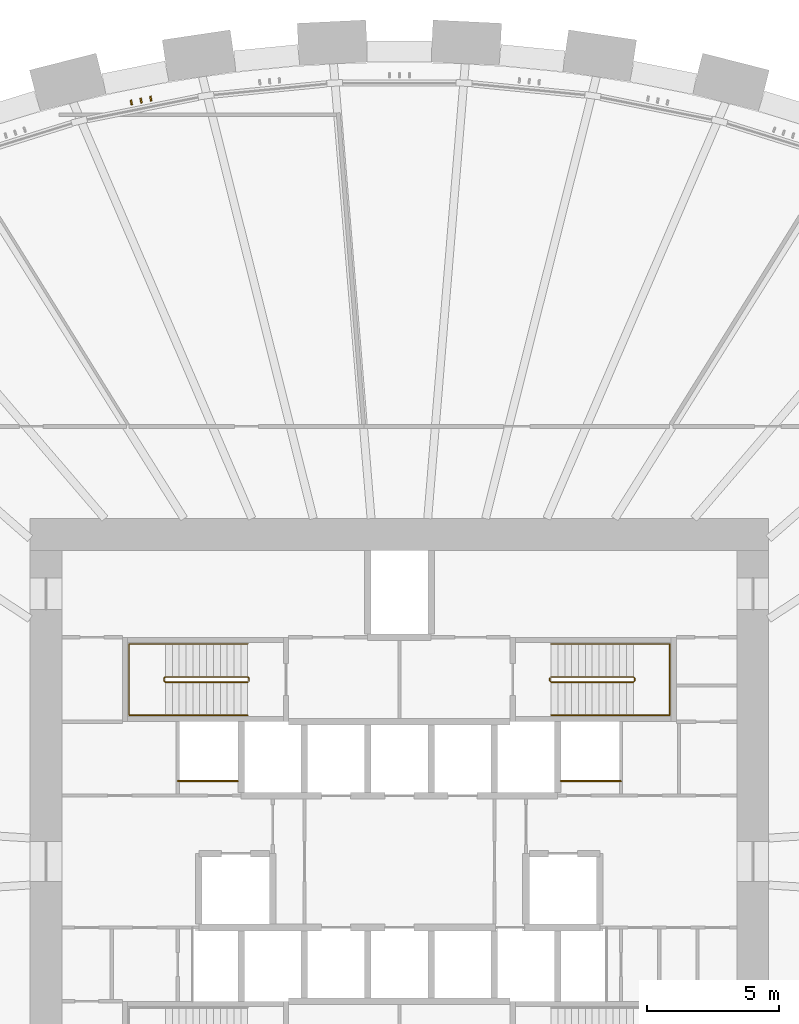
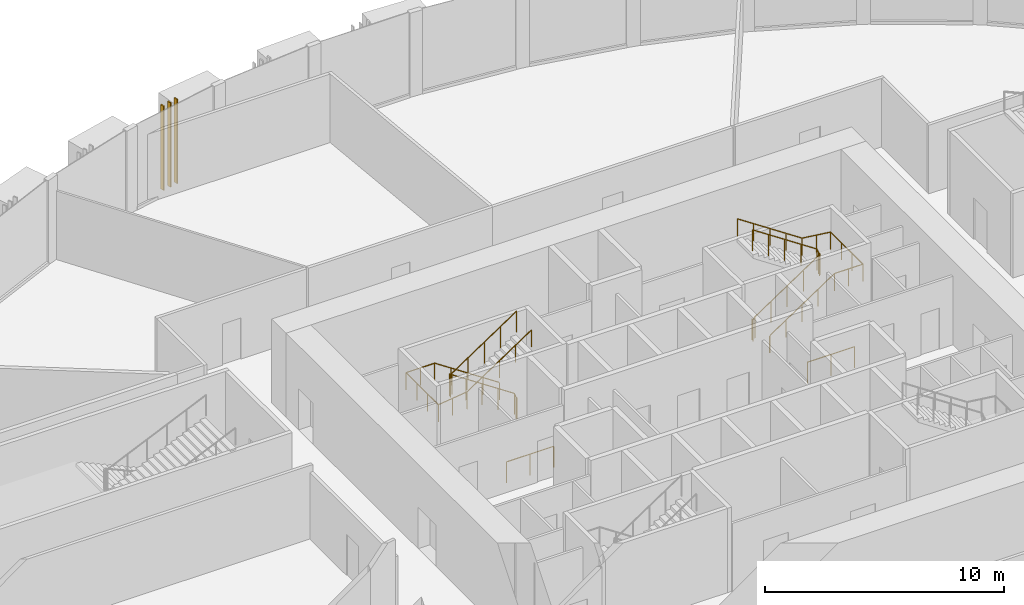
# One storey, part 17 of 21: 6 railings, 3 shading devices.
"""IFC4 building model written with IfcOpenShell, lengths in metres."""

from ifc_helpers import new_model, si_unit, direction, frame, origin, origin_2d, place, context, subcontext, project, spatial, rectangle, circle, extrude, source, transform, mapped, material, material_profile, profile_set, type_object, element, save


model = new_model("IFC4")

# Units and contexts
model_context = context("Model", 3, precision=1e-05, world=origin(), true_north=direction((0.0, 1.0)))
body_context = subcontext(model_context, "Body", "Model", "MODEL_VIEW")
ifc_project = project(units=[si_unit("LENGTHUNIT", "METRE"), si_unit("AREAUNIT", "SQUARE_METRE"), si_unit("VOLUMEUNIT", "CUBIC_METRE"), si_unit("PLANEANGLEUNIT", "RADIAN"), si_unit("MASSUNIT", "GRAM", prefix="KILO")], contexts=[model_context])

# Site, building, storey
site_placement = place(None, origin())
site = spatial("IfcSite", under=ifc_project, at=site_placement, CompositionType="ELEMENT")
building_placement = place(site_placement, origin())
building = spatial("IfcBuilding", under=site, at=building_placement, Name="Embergate Tower", CompositionType="ELEMENT")
storey_placement = place(building_placement, frame((0.0, 0.0, 33.5)))
storey = spatial("IfcBuildingStorey", under=building, at=storey_placement, Name="L04", CompositionType="ELEMENT", Elevation=33.5)

# Shading devices
ifc_material_1 = material(Name="Terracotta, extruded and glazed", Category="masonry")
ifc_material_profile = material_profile(ifc_material_1, rectangle(XDim=0.18994140625, YDim=0.06005859375, at=origin_2d()), Name="TC 190x60")
ifc_profile_set = profile_set([ifc_material_profile], Name="Terracotta, extruded and glazed")
shading_device_type = type_object("IfcShadingDeviceType", Name="Terracotta fin", PredefinedType="USERDEFINED", material=ifc_profile_set)
shared_shape_1 = source(origin(), body_context, "Body", "SweptSolid", [
    extrude(rectangle(XDim=0.18994140625, YDim=0.06005859375, at=origin_2d()), origin(), (0.0, 0.0, 1.0), 4.300048828125),
])
for number, where, z_axis, x_axis, name in (
    (1, (-9.42578125, 28.923583984375, 0.0), (0.0, 0.0, 1.0), (0.196637539636, -0.980476250608, 0.0), "Fin 13.1"),
    (2, (-9.7939453125, 28.849609375, 0.0), (0.0, 0.0, 1.0), (0.196637539636, -0.980476250608, 0.0), "Fin 13.2"),
    (3, (-10.162109375, 28.77587890625, 0.0), (0.0, 0.0, 1.0), (0.196637539636, -0.980476250608, 0.0), "Fin 13.3"),
):
    element("IfcShadingDevice", number, at=place(storey_placement, frame(where, z_axis=z_axis, x_axis=x_axis)), inside=storey, type_object=shading_device_type, Name=name, ObjectType="FIN", PredefinedType="USERDEFINED", context=body_context, shape_type="MappedRepresentation", body=[
        mapped(shared_shape_1, transform((0.0, 0.0, 0.0))),
    ])

# Railings
ifc_material_2 = material(Name="Stair guard 1100")
railing_type_1 = type_object("IfcRailingType", Name="Stair guard 1100", PredefinedType="GUARDRAIL", material=ifc_material_2)
shared_shape_2 = source(origin(), body_context, "Body", "SweptSolid", [
    extrude(circle(Radius=0.02392578125, at=origin_2d()), frame((0.0, 0.0, 1.076171875), z_axis=(0.0, 1.0, 0.0), x_axis=(-1.0, 0.0, 0.0)), (0.0, 0.0, 1.0), 0.099853515625),
    extrude(circle(Radius=0.02392578125, at=origin_2d()), frame((0.0, 0.099853515625, 1.076171875), z_axis=(-0.267629722418, 0.267629722418, 0.925607186314), x_axis=(-0.707106781187, -0.707106781187, 0.0)), (0.0, 0.0, 1.0), 0.18701171875),
    extrude(circle(Radius=0.02392578125, at=origin_2d()), frame((-0.050048828125, 0.14990234375, 1.2490234375), z_axis=(-0.83244090515, 0.0, 0.554113832559), x_axis=(0.0, -1.0, 0.0)), (0.0, 0.0, 1.0), 3.748046875),
    extrude(circle(Radius=0.02392578125, at=origin_2d()), frame((-3.170166015625, 0.14990234375, 3.326171875), z_axis=(-0.705375805398, -0.708833529934, 0.0), x_axis=(0.708833529934, -0.705375805398, 0.0)), (0.0, 0.0, 1.0), 0.070556640625),
    extrude(circle(Radius=0.02392578125, at=origin_2d()), frame((-3.219970703125, 0.099853515625, 3.326171875), z_axis=(0.0, -1.0, 0.0), x_axis=(1.0, 0.0, 0.0)), (0.0, 0.0, 1.0), 0.099853515625),
    extrude(circle(Radius=0.02392578125, at=origin_2d()), frame((-3.219970703125, 0.0, 3.326171875), z_axis=(0.266417085129, -0.267723051232, 0.925929967433), x_axis=(0.708833529934, 0.705375805398, 0.0)), (0.0, 0.0, 1.0), 0.18701171875),
    extrude(circle(Radius=0.02392578125, at=origin_2d()), frame((-3.170166015625, -0.050048828125, 3.4990234375), z_axis=(0.83244090515, 0.0, 0.554113832559), x_axis=(0.0, 1.0, 0.0)), (0.0, 0.0, 1.0), 3.748046875),
    extrude(circle(Radius=0.02099609375, at=origin_2d()), origin(), (0.0, 0.0, 1.0), 1.052001953125),
    extrude(circle(Radius=0.02099609375, at=origin_2d()), frame((0.0, 0.099853515625, 0.0)), (0.0, 0.0, 1.0), 1.052001953125),
    extrude(circle(Radius=0.02099609375, at=origin_2d()), frame((-0.050048828125, 0.14990234375, 0.173095703125)), (0.0, 0.0, 1.0), 1.052001953125),
    extrude(circle(Radius=0.02099609375, at=origin_2d()), frame((-0.830078125, 0.14990234375, 0.6923828125)), (0.0, 0.0, 1.0), 1.052001953125),
    extrude(circle(Radius=0.02099609375, at=origin_2d()), frame((-1.610107421875, 0.14990234375, 1.21142578125)), (0.0, 0.0, 1.0), 1.052001953125),
    extrude(circle(Radius=0.02099609375, at=origin_2d()), frame((-2.39013671875, 0.14990234375, 1.730712890625)), (0.0, 0.0, 1.0), 1.052001953125),
    extrude(circle(Radius=0.02099609375, at=origin_2d()), frame((-3.170166015625, 0.14990234375, 2.25)), (0.0, 0.0, 1.0), 1.052001953125),
    extrude(circle(Radius=0.02099609375, at=origin_2d()), frame((-3.219970703125, 0.099853515625, 2.25)), (0.0, 0.0, 1.0), 1.052001953125),
    extrude(circle(Radius=0.02099609375, at=origin_2d()), frame((-3.219970703125, 0.0, 2.25)), (0.0, 0.0, 1.0), 1.052001953125),
    extrude(circle(Radius=0.02099609375, at=origin_2d()), frame((-3.170166015625, -0.050048828125, 2.423095703125)), (0.0, 0.0, 1.0), 1.052001953125),
    extrude(circle(Radius=0.02099609375, at=origin_2d()), frame((-2.39013671875, -0.050048828125, 2.9423828125)), (0.0, 0.0, 1.0), 1.052001953125),
    extrude(circle(Radius=0.02099609375, at=origin_2d()), frame((-1.610107421875, -0.050048828125, 3.46142578125)), (0.0, 0.0, 1.0), 1.052001953125),
    extrude(circle(Radius=0.02099609375, at=origin_2d()), frame((-0.830078125, -0.050048828125, 3.980712890625)), (0.0, 0.0, 1.0), 1.052001953125),
    extrude(circle(Radius=0.02099609375, at=origin_2d()), frame((-0.050048828125, -0.050048828125, 4.5)), (0.0, 0.0, 1.0), 1.052001953125),
])
railing_1_placement = place(storey_placement, frame((-5.699951171875, 6.85009765625, 0.0)))
element("IfcRailing", 4, at=railing_1_placement, inside=storey, type_object=railing_type_1, Name="L04 ST1 stair guard 1", PredefinedType="GUARDRAIL", context=body_context, shape_type="MappedRepresentation", body=[
    mapped(shared_shape_2, transform((0.0, 0.0, 0.0))),
])
ifc_material_3 = material(Name="Stair handrail 900")
railing_type_2 = type_object("IfcRailingType", Name="Stair handrail 900", PredefinedType="HANDRAIL", material=ifc_material_3)
shared_shape_3 = source(origin(), body_context, "Body", "SweptSolid", [
    extrude(circle(Radius=0.02392578125, at=origin_2d()), frame((0.0, 0.0, 0.8759765625), z_axis=(-0.83244090515, 0.0, 0.554113832559), x_axis=(0.0, -1.0, 0.0)), (0.0, 0.0, 1.0), 3.748046875),
    extrude(circle(Radius=0.02392578125, at=origin_2d()), frame((-3.1201171875, 0.0, 2.95263671875), z_axis=(-1.0, 0.0, 0.0), x_axis=(0.0, -1.0, 0.0)), (0.0, 0.0, 1.0), 1.3798828125),
    extrude(circle(Radius=0.02392578125, at=origin_2d()), frame((-4.5, 0.0, 2.95263671875), z_axis=(0.0, -1.0, 0.0), x_axis=(1.0, 0.0, 0.0)), (0.0, 0.0, 1.0), 2.699951171875),
    extrude(circle(Radius=0.02392578125, at=origin_2d()), frame((-4.5, -2.699951171875, 2.95263671875), z_axis=(0.992223766409, 0.0, 0.12446685251), x_axis=(0.0, 1.0, 0.0)), (0.0, 0.0, 1.0), 1.390625),
    extrude(circle(Radius=0.02392578125, at=origin_2d()), frame((-3.1201171875, -2.699951171875, 3.1259765625), z_axis=(0.83244090515, 0.0, 0.554113832559), x_axis=(0.0, 1.0, 0.0)), (0.0, 0.0, 1.0), 3.748046875),
    extrude(circle(Radius=0.02099609375, at=origin_2d()), origin(), (0.0, 0.0, 1.0), 0.851806640625),
    extrude(circle(Radius=0.02099609375, at=origin_2d()), frame((-0.780029296875, 0.0, 0.519287109375)), (0.0, 0.0, 1.0), 0.851806640625),
    extrude(circle(Radius=0.02099609375, at=origin_2d()), frame((-1.56005859375, 0.0, 1.03857421875)), (0.0, 0.0, 1.0), 0.851806640625),
    extrude(circle(Radius=0.02099609375, at=origin_2d()), frame((-2.340087890625, 0.0, 1.5576171875)), (0.0, 0.0, 1.0), 0.851806640625),
    extrude(circle(Radius=0.02099609375, at=origin_2d()), frame((-3.1201171875, 0.0, 2.076904296875)), (0.0, 0.0, 1.0), 0.851806640625),
    extrude(circle(Radius=0.02099609375, at=origin_2d()), frame((-3.81005859375, 0.0, 2.076904296875)), (0.0, 0.0, 1.0), 0.851806640625),
    extrude(circle(Radius=0.02099609375, at=origin_2d()), frame((-4.5, 0.0, 2.076904296875)), (0.0, 0.0, 1.0), 0.851806640625),
    extrude(circle(Radius=0.02099609375, at=origin_2d()), frame((-4.5, -0.89990234375, 2.076904296875)), (0.0, 0.0, 1.0), 0.851806640625),
    extrude(circle(Radius=0.02099609375, at=origin_2d()), frame((-4.5, -1.800048828125, 2.076904296875)), (0.0, 0.0, 1.0), 0.851806640625),
    extrude(circle(Radius=0.02099609375, at=origin_2d()), frame((-4.5, -2.699951171875, 2.076904296875)), (0.0, 0.0, 1.0), 0.851806640625),
    extrude(circle(Radius=0.02099609375, at=origin_2d()), frame((-3.81005859375, -2.699951171875, 2.16357421875)), (0.0, 0.0, 1.0), 0.851806640625),
    extrude(circle(Radius=0.02099609375, at=origin_2d()), frame((-3.1201171875, -2.699951171875, 2.25)), (0.0, 0.0, 1.0), 0.851806640625),
    extrude(circle(Radius=0.02099609375, at=origin_2d()), frame((-2.340087890625, -2.699951171875, 2.769287109375)), (0.0, 0.0, 1.0), 0.851806640625),
    extrude(circle(Radius=0.02099609375, at=origin_2d()), frame((-1.56005859375, -2.699951171875, 3.28857421875)), (0.0, 0.0, 1.0), 0.851806640625),
    extrude(circle(Radius=0.02099609375, at=origin_2d()), frame((-0.780029296875, -2.699951171875, 3.8076171875)), (0.0, 0.0, 1.0), 0.851806640625),
    extrude(circle(Radius=0.02099609375, at=origin_2d()), frame((0.0, -2.699951171875, 4.326904296875)), (0.0, 0.0, 1.0), 0.851806640625),
])
railing_2_placement = place(storey_placement, frame((-5.75, 8.25, 0.173095703125)))
element("IfcRailing", 5, at=railing_2_placement, inside=storey, type_object=railing_type_2, Name="L04 ST1 stair handrail 1", PredefinedType="HANDRAIL", context=body_context, shape_type="MappedRepresentation", body=[
    mapped(shared_shape_3, transform((0.0, 0.0, 0.0))),
])
shared_shape_4 = source(origin(), body_context, "Body", "SweptSolid", [
    extrude(circle(Radius=0.02392578125, at=origin_2d()), frame((0.0, 0.0, 1.076171875), z_axis=(0.0, -1.0, 0.0), x_axis=(1.0, 0.0, 0.0)), (0.0, 0.0, 1.0), 0.099853515625),
    extrude(circle(Radius=0.02392578125, at=origin_2d()), frame((0.0, -0.099853515625, 1.076171875), z_axis=(0.267629722418, -0.267629722418, 0.925607186314), x_axis=(0.707106781187, 0.707106781187, 0.0)), (0.0, 0.0, 1.0), 0.18701171875),
    extrude(circle(Radius=0.02392578125, at=origin_2d()), frame((0.050048828125, -0.14990234375, 1.2490234375), z_axis=(0.83244090515, 0.0, 0.554113832559), x_axis=(0.0, 1.0, 0.0)), (0.0, 0.0, 1.0), 3.748046875),
    extrude(circle(Radius=0.02392578125, at=origin_2d()), frame((3.170166015625, -0.14990234375, 3.326171875), z_axis=(0.705375805398, 0.708833529934, 0.0), x_axis=(-0.708833529934, 0.705375805398, 0.0)), (0.0, 0.0, 1.0), 0.070556640625),
    extrude(circle(Radius=0.02392578125, at=origin_2d()), frame((3.219970703125, -0.099853515625, 3.326171875), z_axis=(0.0, 1.0, 0.0), x_axis=(-1.0, 0.0, 0.0)), (0.0, 0.0, 1.0), 0.099853515625),
    extrude(circle(Radius=0.02392578125, at=origin_2d()), frame((3.219970703125, 0.0, 3.326171875), z_axis=(-0.266417085129, 0.267723051232, 0.925929967433), x_axis=(-0.708833529934, -0.705375805398, 0.0)), (0.0, 0.0, 1.0), 0.18701171875),
    extrude(circle(Radius=0.02392578125, at=origin_2d()), frame((3.170166015625, 0.050048828125, 3.4990234375), z_axis=(-0.83244090515, 0.0, 0.554113832559), x_axis=(0.0, -1.0, 0.0)), (0.0, 0.0, 1.0), 3.748046875),
    extrude(circle(Radius=0.02099609375, at=origin_2d()), origin(), (0.0, 0.0, 1.0), 1.052001953125),
    extrude(circle(Radius=0.02099609375, at=origin_2d()), frame((0.0, -0.099853515625, 0.0)), (0.0, 0.0, 1.0), 1.052001953125),
    extrude(circle(Radius=0.02099609375, at=origin_2d()), frame((0.050048828125, -0.14990234375, 0.173095703125)), (0.0, 0.0, 1.0), 1.052001953125),
    extrude(circle(Radius=0.02099609375, at=origin_2d()), frame((0.830078125, -0.14990234375, 0.6923828125)), (0.0, 0.0, 1.0), 1.052001953125),
    extrude(circle(Radius=0.02099609375, at=origin_2d()), frame((1.610107421875, -0.14990234375, 1.21142578125)), (0.0, 0.0, 1.0), 1.052001953125),
    extrude(circle(Radius=0.02099609375, at=origin_2d()), frame((2.39013671875, -0.14990234375, 1.730712890625)), (0.0, 0.0, 1.0), 1.052001953125),
    extrude(circle(Radius=0.02099609375, at=origin_2d()), frame((3.170166015625, -0.14990234375, 2.25)), (0.0, 0.0, 1.0), 1.052001953125),
    extrude(circle(Radius=0.02099609375, at=origin_2d()), frame((3.219970703125, -0.099853515625, 2.25)), (0.0, 0.0, 1.0), 1.052001953125),
    extrude(circle(Radius=0.02099609375, at=origin_2d()), frame((3.219970703125, 0.0, 2.25)), (0.0, 0.0, 1.0), 1.052001953125),
    extrude(circle(Radius=0.02099609375, at=origin_2d()), frame((3.170166015625, 0.050048828125, 2.423095703125)), (0.0, 0.0, 1.0), 1.052001953125),
    extrude(circle(Radius=0.02099609375, at=origin_2d()), frame((2.39013671875, 0.050048828125, 2.9423828125)), (0.0, 0.0, 1.0), 1.052001953125),
    extrude(circle(Radius=0.02099609375, at=origin_2d()), frame((1.610107421875, 0.050048828125, 3.46142578125)), (0.0, 0.0, 1.0), 1.052001953125),
    extrude(circle(Radius=0.02099609375, at=origin_2d()), frame((0.830078125, 0.050048828125, 3.980712890625)), (0.0, 0.0, 1.0), 1.052001953125),
    extrude(circle(Radius=0.02099609375, at=origin_2d()), frame((0.050048828125, 0.050048828125, 4.5)), (0.0, 0.0, 1.0), 1.052001953125),
])
railing_3_placement = place(storey_placement, frame((5.699951171875, 6.949951171875, 0.0)))
element("IfcRailing", 6, at=railing_3_placement, inside=storey, type_object=railing_type_1, Name="L04 ST2 stair guard 1", PredefinedType="GUARDRAIL", context=body_context, shape_type="MappedRepresentation", body=[
    mapped(shared_shape_4, transform((0.0, 0.0, 0.0))),
])
shared_shape_5 = source(origin(), body_context, "Body", "SweptSolid", [
    extrude(circle(Radius=0.02392578125, at=origin_2d()), frame((0.0, 0.0, 0.8759765625), z_axis=(0.83244090515, 0.0, 0.554113832559), x_axis=(0.0, 1.0, 0.0)), (0.0, 0.0, 1.0), 3.748046875),
    extrude(circle(Radius=0.02392578125, at=origin_2d()), frame((3.1201171875, 0.0, 2.95263671875), z_axis=(1.0, 0.0, 0.0), x_axis=(0.0, 1.0, 0.0)), (0.0, 0.0, 1.0), 1.3798828125),
    extrude(circle(Radius=0.02392578125, at=origin_2d()), frame((4.5, 0.0, 2.95263671875), z_axis=(0.0, 1.0, 0.0), x_axis=(-1.0, 0.0, 0.0)), (0.0, 0.0, 1.0), 2.699951171875),
    extrude(circle(Radius=0.02392578125, at=origin_2d()), frame((4.5, 2.699951171875, 2.95263671875), z_axis=(-0.992223766409, 0.0, 0.12446685251), x_axis=(0.0, -1.0, 0.0)), (0.0, 0.0, 1.0), 1.390625),
    extrude(circle(Radius=0.02392578125, at=origin_2d()), frame((3.1201171875, 2.699951171875, 3.1259765625), z_axis=(-0.83244090515, 0.0, 0.554113832559), x_axis=(0.0, -1.0, 0.0)), (0.0, 0.0, 1.0), 3.748046875),
    extrude(circle(Radius=0.02099609375, at=origin_2d()), origin(), (0.0, 0.0, 1.0), 0.851806640625),
    extrude(circle(Radius=0.02099609375, at=origin_2d()), frame((0.780029296875, 0.0, 0.519287109375)), (0.0, 0.0, 1.0), 0.851806640625),
    extrude(circle(Radius=0.02099609375, at=origin_2d()), frame((1.56005859375, 0.0, 1.03857421875)), (0.0, 0.0, 1.0), 0.851806640625),
    extrude(circle(Radius=0.02099609375, at=origin_2d()), frame((2.340087890625, 0.0, 1.5576171875)), (0.0, 0.0, 1.0), 0.851806640625),
    extrude(circle(Radius=0.02099609375, at=origin_2d()), frame((3.1201171875, 0.0, 2.076904296875)), (0.0, 0.0, 1.0), 0.851806640625),
    extrude(circle(Radius=0.02099609375, at=origin_2d()), frame((3.81005859375, 0.0, 2.076904296875)), (0.0, 0.0, 1.0), 0.851806640625),
    extrude(circle(Radius=0.02099609375, at=origin_2d()), frame((4.5, 0.0, 2.076904296875)), (0.0, 0.0, 1.0), 0.851806640625),
    extrude(circle(Radius=0.02099609375, at=origin_2d()), frame((4.5, 0.89990234375, 2.076904296875)), (0.0, 0.0, 1.0), 0.851806640625),
    extrude(circle(Radius=0.02099609375, at=origin_2d()), frame((4.5, 1.800048828125, 2.076904296875)), (0.0, 0.0, 1.0), 0.851806640625),
    extrude(circle(Radius=0.02099609375, at=origin_2d()), frame((4.5, 2.699951171875, 2.076904296875)), (0.0, 0.0, 1.0), 0.851806640625),
    extrude(circle(Radius=0.02099609375, at=origin_2d()), frame((3.81005859375, 2.699951171875, 2.16357421875)), (0.0, 0.0, 1.0), 0.851806640625),
    extrude(circle(Radius=0.02099609375, at=origin_2d()), frame((3.1201171875, 2.699951171875, 2.25)), (0.0, 0.0, 1.0), 0.851806640625),
    extrude(circle(Radius=0.02099609375, at=origin_2d()), frame((2.340087890625, 2.699951171875, 2.769287109375)), (0.0, 0.0, 1.0), 0.851806640625),
    extrude(circle(Radius=0.02099609375, at=origin_2d()), frame((1.56005859375, 2.699951171875, 3.28857421875)), (0.0, 0.0, 1.0), 0.851806640625),
    extrude(circle(Radius=0.02099609375, at=origin_2d()), frame((0.780029296875, 2.699951171875, 3.8076171875)), (0.0, 0.0, 1.0), 0.851806640625),
    extrude(circle(Radius=0.02099609375, at=origin_2d()), frame((0.0, 2.699951171875, 4.326904296875)), (0.0, 0.0, 1.0), 0.851806640625),
])
railing_4_placement = place(storey_placement, frame((5.75, 5.550048828125, 0.173095703125)))
element("IfcRailing", 7, at=railing_4_placement, inside=storey, type_object=railing_type_2, Name="L04 ST2 stair handrail 1", PredefinedType="HANDRAIL", context=body_context, shape_type="MappedRepresentation", body=[
    mapped(shared_shape_5, transform((0.0, 0.0, 0.0))),
])
ifc_material_4 = material(Name="Opening guard 1100")
railing_type_3 = type_object("IfcRailingType", Name="Opening guard 1100", PredefinedType="GUARDRAIL", material=ifc_material_4)
shared_shape_6 = source(origin(), body_context, "Body", "SweptSolid", [
    extrude(circle(Radius=0.02392578125, at=origin_2d()), frame((0.0, 0.0, 1.076171875), z_axis=(1.0, 0.0, 0.0), x_axis=(0.0, 1.0, 0.0)), (0.0, 0.0, 1.0), 2.27490234375),
    extrude(circle(Radius=0.02099609375, at=origin_2d()), origin(), (0.0, 0.0, 1.0), 1.052001953125),
    extrude(circle(Radius=0.02099609375, at=origin_2d()), frame((1.137451171875, 0.0, 0.0)), (0.0, 0.0, 1.0), 1.052001953125),
    extrude(circle(Radius=0.02099609375, at=origin_2d()), frame((2.27490234375, 0.0, 0.0)), (0.0, 0.0, 1.0), 1.052001953125),
])
for number, where, name in (
    (8, (-8.39990234375, 3.050048828125, 0.0), "Riser opening guard"),
    (9, (6.125, 3.050048828125, 0.0), "Riser opening guard"),
):
    element("IfcRailing", number, at=place(storey_placement, frame(where)), inside=storey, type_object=railing_type_3, Name=name, PredefinedType="GUARDRAIL", context=body_context, shape_type="MappedRepresentation", body=[
        mapped(shared_shape_6, transform((0.0, 0.0, 0.0))),
    ])

save(model, "model.ifc")
